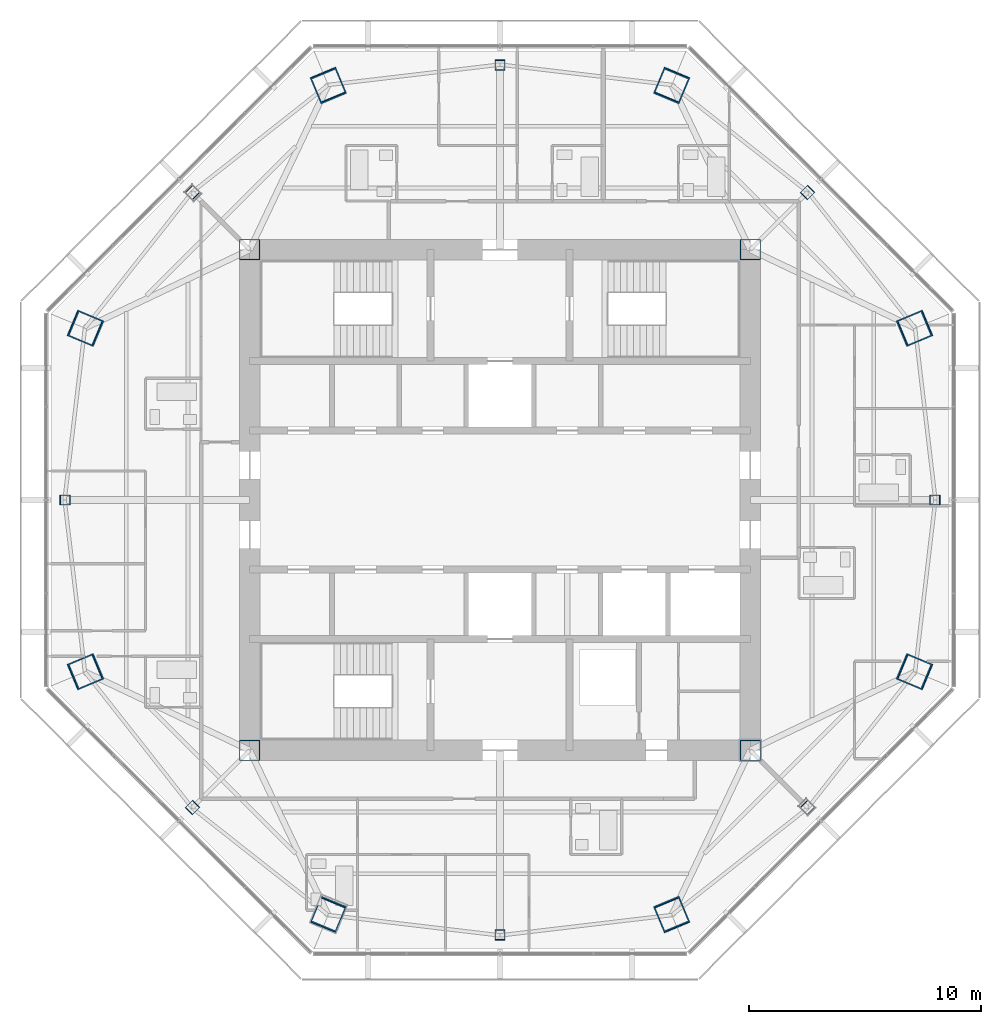
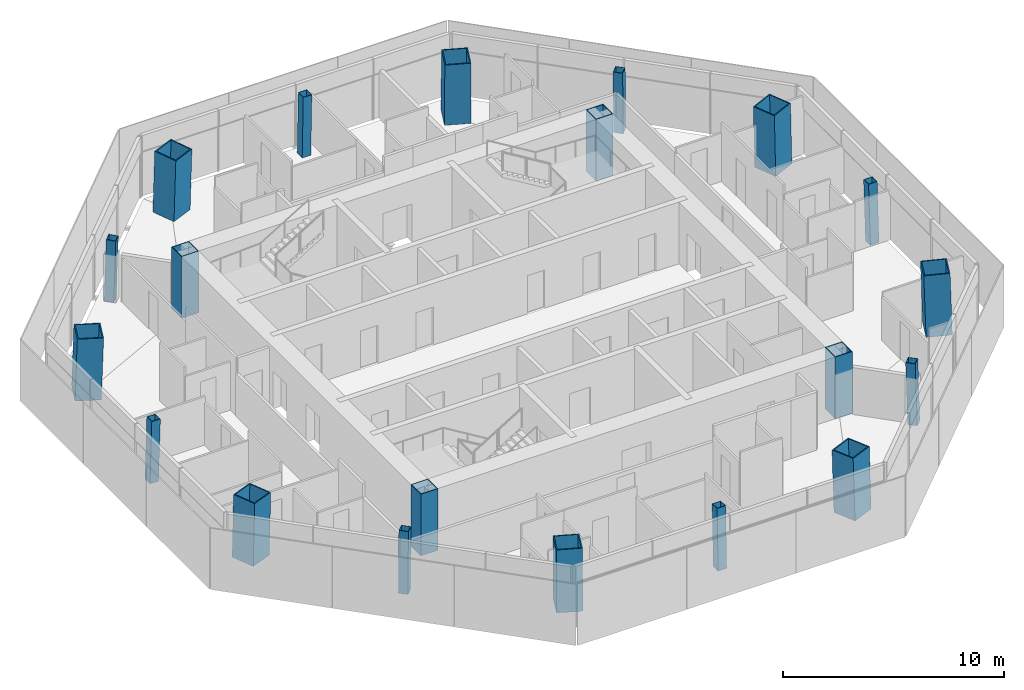
# One storey, part 1 of 15: 20 columns.
"""IFC4 building model written with IfcOpenShell, lengths in metres."""

from ifc_helpers import new_model, si_unit, direction, frame, origin, origin_2d, place, context, subcontext, project, spatial, hollow_rectangle, extrude, material, material_profile, profile_set, type_object, element, save


model = new_model("IFC4")

# Units and contexts
model_context = context("Model", 3, precision=1e-05, world=origin(), true_north=direction((0.0, 1.0)))
body_context = subcontext(model_context, "Body", "Model", "MODEL_VIEW")
ifc_project = project(units=[si_unit("LENGTHUNIT", "METRE"), si_unit("AREAUNIT", "SQUARE_METRE"), si_unit("VOLUMEUNIT", "CUBIC_METRE"), si_unit("PLANEANGLEUNIT", "RADIAN"), si_unit("MASSUNIT", "GRAM", prefix="KILO")], contexts=[model_context])

# Site, building, storey
site_placement = place(None, origin())
site = spatial("IfcSite", under=ifc_project, at=site_placement, CompositionType="ELEMENT")
building_placement = place(site_placement, origin())
building = spatial("IfcBuilding", under=site, at=building_placement, Name="Mashrafa Tower", CompositionType="ELEMENT")
storey_placement = place(building_placement, frame((0.0, 0.0, 298.0)))
storey = spatial("IfcBuildingStorey", under=building, at=storey_placement, Name="L73", CompositionType="ELEMENT", Elevation=298.0)

# Columns
ifc_material_1 = material(Name="Steel ASTM A572 Gr 50", Category="steel")
ifc_material_profile_1 = material_profile(ifc_material_1, hollow_rectangle(XDim=0.89990234375, YDim=0.89990234375, WallThickness=0.0400390625, at=origin_2d()), Name="BOX900X900X40")
ifc_profile_set_1 = profile_set([ifc_material_profile_1], Name="Steel ASTM A572 Gr 50")
column_type_1 = type_object("IfcColumnType", Name="Core corner column BOX900X900X40", PredefinedType="COLUMN", material=ifc_profile_set_1)
for number, where, z_axis, x_axis, name in (
    (1, (10.800048828125, 10.800048828125, 0.0), (0.0, 0.0, 1.0), (1.0, 0.0, 0.0), "Core corner column CC-NE L73"),
    (2, (-10.800048828125, 10.800048828125, 0.0), (0.0, 0.0, 1.0), (1.0, 0.0, 0.0), "Core corner column CC-NW L73"),
    (3, (-10.800048828125, -10.800048828125, 0.0), (0.0, 0.0, 1.0), (1.0, 0.0, 0.0), "Core corner column CC-SW L73"),
    (4, (10.800048828125, -10.800048828125, 0.0), (0.0, 0.0, 1.0), (1.0, 0.0, 0.0), "Core corner column CC-SE L73"),
):
    element("IfcColumn", number, at=place(storey_placement, frame(where, z_axis=z_axis, x_axis=x_axis)), inside=storey, type_object=column_type_1, Name=name, PredefinedType="COLUMN", context=body_context, shape_type="SweptSolid", body=[
        extrude(hollow_rectangle(XDim=0.89990234375, YDim=0.89990234375, WallThickness=0.0400390625, at=origin_2d()), origin(), (0.0, 0.0, 1.0), 3.39990234375),
    ])
ifc_material_2 = material(Name="Steel ASTM A572 Gr 50", Category="steel")
ifc_material_profile_2 = material_profile(ifc_material_2, hollow_rectangle(XDim=1.199951171875, YDim=1.199951171875, WallThickness=0.054931640625, at=origin_2d()), Name="BOX1200X1200X55")
ifc_profile_set_2 = profile_set([ifc_material_profile_2], Name="Steel ASTM A572 Gr 50")
column_type_2 = type_object("IfcColumnType", Name="Mega column CFST BOX1200X1200X55", PredefinedType="COLUMN", material=ifc_profile_set_2)
for number, where, z_axis, x_axis, name in (
    (5, (17.906494140625, 7.417236328125, 0.0), (-0.028279126691, -0.011771007049, 0.999530757099), (0.3842825994, -0.923215513192, 0.0), "Mega column MC1 L73"),
    (6, (7.417236328125, 17.906494140625, 0.0), (-0.011771007049, -0.028279126691, 0.999530757099), (0.923215513192, -0.3842825994, 0.0), "Mega column MC2 L73"),
    (7, (-7.417236328125, 17.906494140625, 0.0), (0.011771007049, -0.028279126691, 0.999530757099), (0.923215513192, 0.3842825994, 0.0), "Mega column MC3 L73"),
    (8, (-17.906494140625, 7.417236328125, 0.0), (0.028279126691, -0.011771007049, 0.999530757099), (0.3842825994, 0.923215513192, 0.0), "Mega column MC4 L73"),
    (9, (-17.906494140625, -7.417236328125, 0.0), (0.028279126691, 0.011771007049, 0.999530757099), (-0.3842825994, 0.923215513192, 0.0), "Mega column MC5 L73"),
    (10, (-7.417236328125, -17.906494140625, 0.0), (0.011771007049, 0.028279126691, 0.999530757099), (-0.923215513192, 0.3842825994, 0.0), "Mega column MC6 L73"),
    (11, (7.417236328125, -17.906494140625, 0.0), (-0.011771007049, 0.028279126691, 0.999530757099), (-0.923215513192, -0.3842825994, 0.0), "Mega column MC7 L73"),
    (12, (17.906494140625, -7.417236328125, 0.0), (-0.028279126691, 0.011771007049, 0.999530757099), (-0.3842825994, -0.923215513192, 0.0), "Mega column MC8 L73"),
):
    element("IfcColumn", number, at=place(storey_placement, frame(where, z_axis=z_axis, x_axis=x_axis)), inside=storey, type_object=column_type_2, Name=name, PredefinedType="COLUMN", context=body_context, shape_type="SweptSolid", body=[
        extrude(hollow_rectangle(XDim=1.199951171875, YDim=1.199951171875, WallThickness=0.054931640625, at=origin_2d()), origin(), (0.0, 0.0, 1.0), 3.401611328125),
    ])
ifc_material_3 = material(Name="Steel ASTM A572 Gr 50", Category="steel")
ifc_material_profile_3 = material_profile(ifc_material_3, hollow_rectangle(XDim=0.449951171875, YDim=0.449951171875, WallThickness=0.02001953125, at=origin_2d()), Name="BOX450X450X20")
ifc_profile_set_3 = profile_set([ifc_material_profile_3], Name="Steel ASTM A572 Gr 50")
column_type_3 = type_object("IfcColumnType", Name="Secondary column BOX450X450X20", PredefinedType="COLUMN", material=ifc_profile_set_3)
for number, where, z_axis, x_axis, name in (
    (13, (18.78466796875, 0.0, 0.0), (-0.028281086024, 0.0, 0.999600010091), (0.0, -1.0, 0.0), "Secondary column SC1 L73"),
    (14, (13.28271484375, 13.28271484375, 0.0), (-0.01995470925, -0.01995470925, 0.999601730269), (0.707106781187, -0.707106781187, 0.0), "Secondary column SC2 L73"),
    (15, (0.0, 18.78466796875, 0.0), (0.0, -0.028281086024, 0.999600010091), (1.0, 0.0, 0.0), "Secondary column SC3 L73"),
    (16, (-13.28271484375, 13.28271484375, 0.0), (0.01995470925, -0.01995470925, 0.999601730269), (0.707106781187, 0.707106781187, 0.0), "Secondary column SC4 L73"),
    (17, (-18.78466796875, 0.0, 0.0), (0.028281086024, 0.0, 0.999600010091), (0.0, 1.0, 0.0), "Secondary column SC5 L73"),
    (18, (-13.28271484375, -13.28271484375, 0.0), (0.01995470925, 0.01995470925, 0.999601730269), (-0.707106781187, 0.707106781187, 0.0), "Secondary column SC6 L73"),
    (19, (0.0, -18.78466796875, 0.0), (0.0, 0.028281086024, 0.999600010091), (-1.0, 0.0, 0.0), "Secondary column SC7 L73"),
    (20, (13.28271484375, -13.28271484375, 0.0), (-0.01995470925, 0.01995470925, 0.999601730269), (-0.707106781187, -0.707106781187, 0.0), "Secondary column SC8 L73"),
):
    element("IfcColumn", number, at=place(storey_placement, frame(where, z_axis=z_axis, x_axis=x_axis)), inside=storey, type_object=column_type_3, Name=name, PredefinedType="COLUMN", context=body_context, shape_type="SweptSolid", body=[
        extrude(hollow_rectangle(XDim=0.449951171875, YDim=0.449951171875, WallThickness=0.02001953125, at=origin_2d()), origin(), (0.0, 0.0, 1.0), 3.4013671875),
    ])

save(model, "model.ifc")
